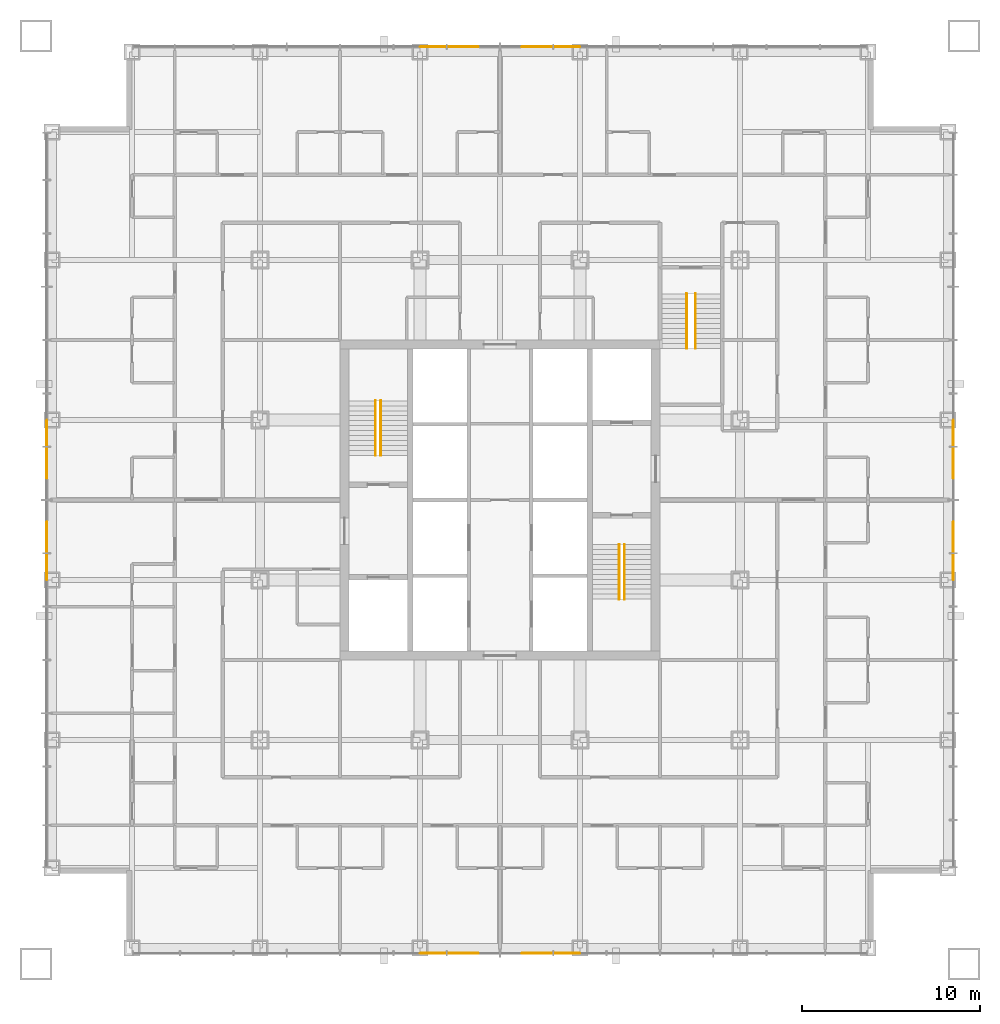
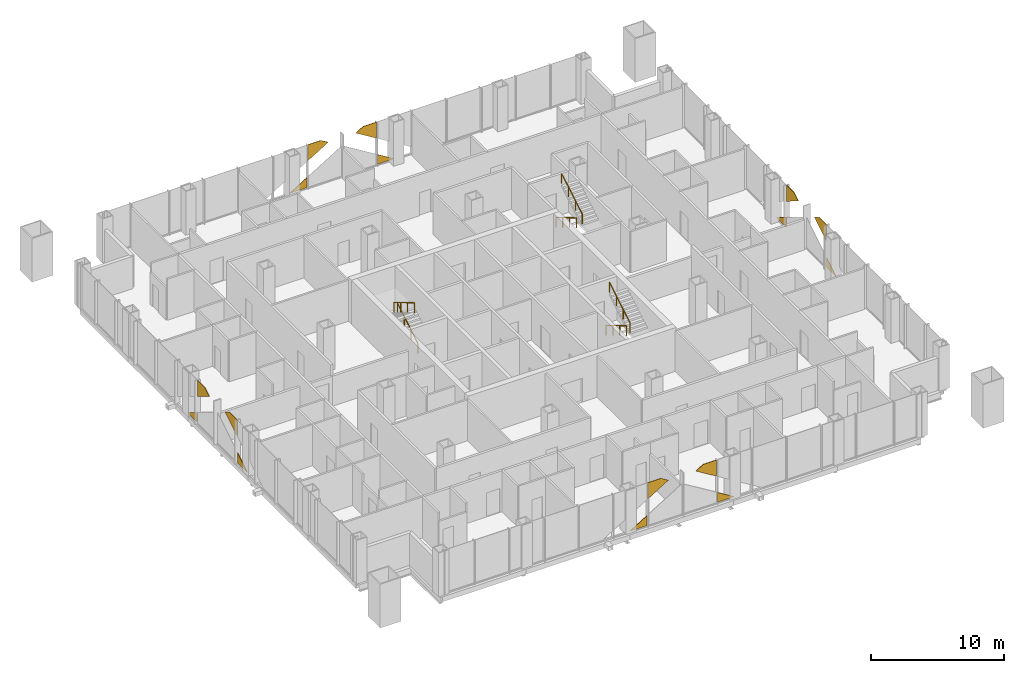
# One storey, part 13 of 13: 16 coverings, 6 railings.
"""IFC4 building model written with IfcOpenShell, lengths in metres."""

from ifc_helpers import new_model, si_unit, direction, frame, origin, origin_2d, place, context, subcontext, project, spatial, polyline, circle, outline, extrude, material, layer, layer_set, type_object, element, save


model = new_model("IFC4")

# Units and contexts
model_context = context("Model", 3, precision=1e-05, world=origin(), true_north=direction((0.0, 1.0)))
body_context = subcontext(model_context, "Body", "Model", "MODEL_VIEW")
ifc_project = project(units=[si_unit("LENGTHUNIT", "METRE"), si_unit("AREAUNIT", "SQUARE_METRE"), si_unit("VOLUMEUNIT", "CUBIC_METRE"), si_unit("PLANEANGLEUNIT", "RADIAN"), si_unit("MASSUNIT", "GRAM", prefix="KILO")], contexts=[model_context])

# Site, building, storey
site_placement = place(None, origin())
site = spatial("IfcSite", under=ifc_project, at=site_placement, CompositionType="ELEMENT")
building_placement = place(site_placement, origin())
building = spatial("IfcBuilding", under=site, at=building_placement, Name="Malebo Sky Hospital", CompositionType="ELEMENT")
storey_placement = place(building_placement, frame((0.0, 0.0, 43.0)))
storey = spatial("IfcBuildingStorey", under=building, at=storey_placement, Name="L09", CompositionType="ELEMENT", Elevation=43.0)

# Coverings
ifc_material_1 = material(Name="Anodised aluminium, natural silver insulated infill panel", Category="aluminium")
ifc_layer = layer(ifc_material_1, 0.0400390625)
ifc_layer_set = layer_set([ifc_layer], Name="BRACE INFILL PANEL 40")
covering_type = type_object("IfcCoveringType", Name="BRACE INFILL PANEL 40", PredefinedType="CLADDING", material=ifc_layer_set)
covering_1_placement = place(storey_placement, frame((56.224853515625, 87.5, 0.10009765625), z_axis=(0.0, 0.0, 1.0), x_axis=(1.0, 0.0, 0.0)))
element("IfcCovering", 1, at=covering_1_placement, inside=storey, type_object=covering_type, Name="Brace infill panel 6.1", PredefinedType="CLADDING", context=body_context, shape_type="SweptSolid", body=[
    extrude(outline(polyline([(-0.737548828125, 0.0), (0.737548828125, 0.0), (0.737548828125, 0.904296875), (-0.737548828125, 0.0)])), frame((0.0, 0.02001953125, 0.0), z_axis=(0.0, -1.0, 0.0), x_axis=(1.0, 0.0, 0.0)), (0.0, 0.0, 1.0), 0.0400390625),
])
covering_2_placement = place(storey_placement, frame((57.92041015625, 87.5, 2.517578125), z_axis=(0.0, 0.0, 1.0), x_axis=(1.0, 0.0, 0.0)))
element("IfcCovering", 2, at=covering_2_placement, inside=storey, type_object=covering_type, Name="Brace infill panel 7.1", PredefinedType="CLADDING", context=body_context, shape_type="SweptSolid", body=[
    extrude(outline(polyline([(-0.8828125, 0.0), (0.8828125, 1.08251953125), (0.246826171875, 1.472412109375), (-0.8828125, 1.472412109375), (-0.8828125, 0.0)])), frame((0.0, 0.02001953125, 0.0), z_axis=(0.0, -1.0, 0.0), x_axis=(1.0, 0.0, 0.0)), (0.0, 0.0, 1.0), 0.0400390625),
])
covering_3_placement = place(storey_placement, frame((62.07958984375, 87.5, 2.517578125), z_axis=(0.0, 0.0, 1.0), x_axis=(1.0, 0.0, 0.0)))
element("IfcCovering", 3, at=covering_3_placement, inside=storey, type_object=covering_type, Name="Brace infill panel 8.1", PredefinedType="CLADDING", context=body_context, shape_type="SweptSolid", body=[
    extrude(outline(polyline([(0.8828125, 0.0), (0.8828125, 1.472412109375), (-0.246826171875, 1.472412109375), (-0.8828125, 1.08251953125), (0.8828125, 0.0)])), frame((0.0, 0.02001953125, 0.0), z_axis=(0.0, -1.0, 0.0), x_axis=(1.0, 0.0, 0.0)), (0.0, 0.0, 1.0), 0.0400390625),
])
covering_4_placement = place(storey_placement, frame((63.775146484375, 87.5, 0.10009765625), z_axis=(0.0, 0.0, 1.0), x_axis=(1.0, 0.0, 0.0)))
element("IfcCovering", 4, at=covering_4_placement, inside=storey, type_object=covering_type, Name="Brace infill panel 9.1", PredefinedType="CLADDING", context=body_context, shape_type="SweptSolid", body=[
    extrude(outline(polyline([(-0.737548828125, 0.0), (0.737548828125, 0.0), (-0.737548828125, 0.904296875), (-0.737548828125, 0.0)])), frame((0.0, 0.02001953125, 0.0), z_axis=(0.0, -1.0, 0.0), x_axis=(1.0, 0.0, 0.0)), (0.0, 0.0, 1.0), 0.0400390625),
])
covering_5_placement = place(storey_placement, frame((34.5, 58.224853515625, 0.10009765625), z_axis=(0.0, 0.0, 1.0), x_axis=(0.0, 1.0, 0.0)))
element("IfcCovering", 5, at=covering_5_placement, inside=storey, type_object=covering_type, Name="Brace infill panel 6.1", PredefinedType="CLADDING", context=body_context, shape_type="SweptSolid", body=[
    extrude(outline(polyline([(-0.737548828125, 0.0), (0.737548828125, 0.0), (0.737548828125, 0.904296875), (-0.737548828125, 0.0)])), frame((0.0, 0.02001953125, 0.0), z_axis=(0.0, -1.0, 0.0), x_axis=(1.0, 0.0, 0.0)), (0.0, 0.0, 1.0), 0.0400390625),
])
covering_6_placement = place(storey_placement, frame((34.5, 59.92041015625, 2.517578125), z_axis=(0.0, 0.0, 1.0), x_axis=(0.0, 1.0, 0.0)))
element("IfcCovering", 6, at=covering_6_placement, inside=storey, type_object=covering_type, Name="Brace infill panel 7.1", PredefinedType="CLADDING", context=body_context, shape_type="SweptSolid", body=[
    extrude(outline(polyline([(-0.8828125, 0.0), (0.8828125, 1.08251953125), (0.246826171875, 1.472412109375), (-0.8828125, 1.472412109375), (-0.8828125, 0.0)])), frame((0.0, 0.02001953125, 0.0), z_axis=(0.0, -1.0, 0.0), x_axis=(1.0, 0.0, 0.0)), (0.0, 0.0, 1.0), 0.0400390625),
])
covering_7_placement = place(storey_placement, frame((34.5, 64.07958984375, 2.517578125), z_axis=(0.0, 0.0, 1.0), x_axis=(0.0, 1.0, 0.0)))
element("IfcCovering", 7, at=covering_7_placement, inside=storey, type_object=covering_type, Name="Brace infill panel 8.1", PredefinedType="CLADDING", context=body_context, shape_type="SweptSolid", body=[
    extrude(outline(polyline([(0.8828125, 0.0), (0.8828125, 1.472412109375), (-0.246826171875, 1.472412109375), (-0.8828125, 1.08251953125), (0.8828125, 0.0)])), frame((0.0, 0.02001953125, 0.0), z_axis=(0.0, -1.0, 0.0), x_axis=(1.0, 0.0, 0.0)), (0.0, 0.0, 1.0), 0.0400390625),
])
covering_8_placement = place(storey_placement, frame((34.5, 65.775146484375, 0.10009765625), z_axis=(0.0, 0.0, 1.0), x_axis=(0.0, 1.0, 0.0)))
element("IfcCovering", 8, at=covering_8_placement, inside=storey, type_object=covering_type, Name="Brace infill panel 9.1", PredefinedType="CLADDING", context=body_context, shape_type="SweptSolid", body=[
    extrude(outline(polyline([(-0.737548828125, 0.0), (0.737548828125, 0.0), (-0.737548828125, 0.904296875), (-0.737548828125, 0.0)])), frame((0.0, 0.02001953125, 0.0), z_axis=(0.0, -1.0, 0.0), x_axis=(1.0, 0.0, 0.0)), (0.0, 0.0, 1.0), 0.0400390625),
])
covering_9_placement = place(storey_placement, frame((63.775146484375, 36.5, 0.10009765625), z_axis=(0.0, 0.0, 1.0), x_axis=(-1.0, 0.0, 0.0)))
element("IfcCovering", 9, at=covering_9_placement, inside=storey, type_object=covering_type, Name="Brace infill panel 6.1", PredefinedType="CLADDING", context=body_context, shape_type="SweptSolid", body=[
    extrude(outline(polyline([(-0.737548828125, 0.0), (0.737548828125, 0.0), (0.737548828125, 0.904296875), (-0.737548828125, 0.0)])), frame((0.0, 0.02001953125, 0.0), z_axis=(0.0, -1.0, 0.0), x_axis=(1.0, 0.0, 0.0)), (0.0, 0.0, 1.0), 0.0400390625),
])
covering_10_placement = place(storey_placement, frame((62.07958984375, 36.5, 2.517578125), z_axis=(0.0, 0.0, 1.0), x_axis=(-1.0, 0.0, 0.0)))
element("IfcCovering", 10, at=covering_10_placement, inside=storey, type_object=covering_type, Name="Brace infill panel 7.1", PredefinedType="CLADDING", context=body_context, shape_type="SweptSolid", body=[
    extrude(outline(polyline([(-0.8828125, 0.0), (0.8828125, 1.08251953125), (0.246826171875, 1.472412109375), (-0.8828125, 1.472412109375), (-0.8828125, 0.0)])), frame((0.0, 0.02001953125, 0.0), z_axis=(0.0, -1.0, 0.0), x_axis=(1.0, 0.0, 0.0)), (0.0, 0.0, 1.0), 0.0400390625),
])
covering_11_placement = place(storey_placement, frame((57.92041015625, 36.5, 2.517578125), z_axis=(0.0, 0.0, 1.0), x_axis=(-1.0, 0.0, 0.0)))
element("IfcCovering", 11, at=covering_11_placement, inside=storey, type_object=covering_type, Name="Brace infill panel 8.1", PredefinedType="CLADDING", context=body_context, shape_type="SweptSolid", body=[
    extrude(outline(polyline([(0.8828125, 0.0), (0.8828125, 1.472412109375), (-0.246826171875, 1.472412109375), (-0.8828125, 1.08251953125), (0.8828125, 0.0)])), frame((0.0, 0.02001953125, 0.0), z_axis=(0.0, -1.0, 0.0), x_axis=(1.0, 0.0, 0.0)), (0.0, 0.0, 1.0), 0.0400390625),
])
covering_12_placement = place(storey_placement, frame((56.224853515625, 36.5, 0.10009765625), z_axis=(0.0, 0.0, 1.0), x_axis=(-1.0, 0.0, 0.0)))
element("IfcCovering", 12, at=covering_12_placement, inside=storey, type_object=covering_type, Name="Brace infill panel 9.1", PredefinedType="CLADDING", context=body_context, shape_type="SweptSolid", body=[
    extrude(outline(polyline([(-0.737548828125, 0.0), (0.737548828125, 0.0), (-0.737548828125, 0.904296875), (-0.737548828125, 0.0)])), frame((0.0, 0.02001953125, 0.0), z_axis=(0.0, -1.0, 0.0), x_axis=(1.0, 0.0, 0.0)), (0.0, 0.0, 1.0), 0.0400390625),
])
covering_13_placement = place(storey_placement, frame((85.5, 65.775146484375, 0.10009765625), z_axis=(0.0, 0.0, 1.0), x_axis=(0.0, -1.0, 0.0)))
element("IfcCovering", 13, at=covering_13_placement, inside=storey, type_object=covering_type, Name="Brace infill panel 6.1", PredefinedType="CLADDING", context=body_context, shape_type="SweptSolid", body=[
    extrude(outline(polyline([(-0.737548828125, 0.0), (0.737548828125, 0.0), (0.737548828125, 0.904296875), (-0.737548828125, 0.0)])), frame((0.0, 0.02001953125, 0.0), z_axis=(0.0, -1.0, 0.0), x_axis=(1.0, 0.0, 0.0)), (0.0, 0.0, 1.0), 0.0400390625),
])
covering_14_placement = place(storey_placement, frame((85.5, 64.07958984375, 2.517578125), z_axis=(0.0, 0.0, 1.0), x_axis=(0.0, -1.0, 0.0)))
element("IfcCovering", 14, at=covering_14_placement, inside=storey, type_object=covering_type, Name="Brace infill panel 7.1", PredefinedType="CLADDING", context=body_context, shape_type="SweptSolid", body=[
    extrude(outline(polyline([(-0.8828125, 0.0), (0.8828125, 1.08251953125), (0.246826171875, 1.472412109375), (-0.8828125, 1.472412109375), (-0.8828125, 0.0)])), frame((0.0, 0.02001953125, 0.0), z_axis=(0.0, -1.0, 0.0), x_axis=(1.0, 0.0, 0.0)), (0.0, 0.0, 1.0), 0.0400390625),
])
covering_15_placement = place(storey_placement, frame((85.5, 59.92041015625, 2.517578125), z_axis=(0.0, 0.0, 1.0), x_axis=(0.0, -1.0, 0.0)))
element("IfcCovering", 15, at=covering_15_placement, inside=storey, type_object=covering_type, Name="Brace infill panel 8.1", PredefinedType="CLADDING", context=body_context, shape_type="SweptSolid", body=[
    extrude(outline(polyline([(0.8828125, 0.0), (0.8828125, 1.472412109375), (-0.246826171875, 1.472412109375), (-0.8828125, 1.08251953125), (0.8828125, 0.0)])), frame((0.0, 0.02001953125, 0.0), z_axis=(0.0, -1.0, 0.0), x_axis=(1.0, 0.0, 0.0)), (0.0, 0.0, 1.0), 0.0400390625),
])
covering_16_placement = place(storey_placement, frame((85.5, 58.224853515625, 0.10009765625), z_axis=(0.0, 0.0, 1.0), x_axis=(0.0, -1.0, 0.0)))
element("IfcCovering", 16, at=covering_16_placement, inside=storey, type_object=covering_type, Name="Brace infill panel 9.1", PredefinedType="CLADDING", context=body_context, shape_type="SweptSolid", body=[
    extrude(outline(polyline([(-0.737548828125, 0.0), (0.737548828125, 0.0), (-0.737548828125, 0.904296875), (-0.737548828125, 0.0)])), frame((0.0, 0.02001953125, 0.0), z_axis=(0.0, -1.0, 0.0), x_axis=(1.0, 0.0, 0.0)), (0.0, 0.0, 1.0), 0.0400390625),
])

# Railings
ifc_material_2 = material(Name="Stainless steel tube", Category="steel")
railing_type = type_object("IfcRailingType", Name="STAIR HANDRAIL 900", PredefinedType="HANDRAIL", material=ifc_material_2)
railing_1_placement = place(storey_placement, frame((53.300048828125, 64.5, 0.166748046875)))
element("IfcRailing", 17, at=railing_1_placement, inside=storey, type_object=railing_type, Name="Stair handrail S1 flight 1", PredefinedType="HANDRAIL", context=body_context, shape_type="SweptSolid", body=[
    extrude(circle(Radius=0.02392578125, at=origin_2d()), frame((0.0, 0.0, 0.8759765625), z_axis=(0.0, 0.859308565015, 0.511457515432), x_axis=(-1.0, 0.0, 0.0)), (0.0, 0.0, 1.0), 3.58447265625),
    extrude(circle(Radius=0.02099609375, at=origin_2d()), origin(), (0.0, 0.0, 1.0), 0.851806640625),
    extrude(circle(Radius=0.02099609375, at=origin_2d()), frame((0.0, 1.026611328125, 0.611083984375)), (0.0, 0.0, 1.0), 0.851806640625),
    extrude(circle(Radius=0.02099609375, at=origin_2d()), frame((0.0, 2.053466796875, 1.22216796875)), (0.0, 0.0, 1.0), 0.851806640625),
    extrude(circle(Radius=0.02099609375, at=origin_2d()), frame((0.0, 3.080078125, 1.833251953125)), (0.0, 0.0, 1.0), 0.851806640625),
])
for number, where, name in (
    (18, (53.0, 67.580078125, 2.166748046875), "Stair handrail S1 flight 2"),
    (19, (66.699951171875, 59.5, 0.166748046875), "Stair handrail S2 flight 1"),
):
    element("IfcRailing", number, at=place(storey_placement, frame(where)), inside=storey, type_object=railing_type, Name=name, PredefinedType="HANDRAIL", context=body_context, shape_type="SweptSolid", body=[
        extrude(circle(Radius=0.02392578125, at=origin_2d()), frame((0.0, 0.0, 0.8759765625), z_axis=(0.0, -0.859308565015, 0.511457515432), x_axis=(1.0, 0.0, 0.0)), (0.0, 0.0, 1.0), 3.58447265625),
        extrude(circle(Radius=0.02099609375, at=origin_2d()), origin(), (0.0, 0.0, 1.0), 0.851806640625),
        extrude(circle(Radius=0.02099609375, at=origin_2d()), frame((0.0, -1.026611328125, 0.611083984375)), (0.0, 0.0, 1.0), 0.851806640625),
        extrude(circle(Radius=0.02099609375, at=origin_2d()), frame((0.0, -2.053466796875, 1.22216796875)), (0.0, 0.0, 1.0), 0.851806640625),
        extrude(circle(Radius=0.02099609375, at=origin_2d()), frame((0.0, -3.080078125, 1.833251953125)), (0.0, 0.0, 1.0), 0.851806640625),
    ])
railing_2_placement = place(storey_placement, frame((67.0, 56.419921875, 2.166748046875)))
element("IfcRailing", 20, at=railing_2_placement, inside=storey, type_object=railing_type, Name="Stair handrail S2 flight 2", PredefinedType="HANDRAIL", context=body_context, shape_type="SweptSolid", body=[
    extrude(circle(Radius=0.02392578125, at=origin_2d()), frame((0.0, 0.0, 0.8759765625), z_axis=(0.0, 0.859308565015, 0.511457515432), x_axis=(-1.0, 0.0, 0.0)), (0.0, 0.0, 1.0), 3.58447265625),
    extrude(circle(Radius=0.02099609375, at=origin_2d()), origin(), (0.0, 0.0, 1.0), 0.851806640625),
    extrude(circle(Radius=0.02099609375, at=origin_2d()), frame((0.0, 1.026611328125, 0.611083984375)), (0.0, 0.0, 1.0), 0.851806640625),
    extrude(circle(Radius=0.02099609375, at=origin_2d()), frame((0.0, 2.053466796875, 1.22216796875)), (0.0, 0.0, 1.0), 0.851806640625),
    extrude(circle(Radius=0.02099609375, at=origin_2d()), frame((0.0, 3.080078125, 1.833251953125)), (0.0, 0.0, 1.0), 0.851806640625),
])
railing_3_placement = place(storey_placement, frame((70.5, 73.60009765625, 0.166748046875)))
element("IfcRailing", 21, at=railing_3_placement, inside=storey, type_object=railing_type, Name="Stair handrail S3 flight 1", PredefinedType="HANDRAIL", context=body_context, shape_type="SweptSolid", body=[
    extrude(circle(Radius=0.02392578125, at=origin_2d()), frame((0.0, 0.0, 0.8759765625), z_axis=(0.0, -0.859308565015, 0.511457515432), x_axis=(1.0, 0.0, 0.0)), (0.0, 0.0, 1.0), 3.58447265625),
    extrude(circle(Radius=0.02099609375, at=origin_2d()), origin(), (0.0, 0.0, 1.0), 0.851806640625),
    extrude(circle(Radius=0.02099609375, at=origin_2d()), frame((0.0, -1.026611328125, 0.611083984375)), (0.0, 0.0, 1.0), 0.851806640625),
    extrude(circle(Radius=0.02099609375, at=origin_2d()), frame((0.0, -2.053466796875, 1.22216796875)), (0.0, 0.0, 1.0), 0.851806640625),
    extrude(circle(Radius=0.02099609375, at=origin_2d()), frame((0.0, -3.080078125, 1.833251953125)), (0.0, 0.0, 1.0), 0.851806640625),
])
railing_4_placement = place(storey_placement, frame((71.0, 70.52001953125, 2.166748046875)))
element("IfcRailing", 22, at=railing_4_placement, inside=storey, type_object=railing_type, Name="Stair handrail S3 flight 2", PredefinedType="HANDRAIL", context=body_context, shape_type="SweptSolid", body=[
    extrude(circle(Radius=0.02392578125, at=origin_2d()), frame((0.0, 0.0, 0.8759765625), z_axis=(0.0, 0.859308565015, 0.511457515432), x_axis=(-1.0, 0.0, 0.0)), (0.0, 0.0, 1.0), 3.58447265625),
    extrude(circle(Radius=0.02099609375, at=origin_2d()), origin(), (0.0, 0.0, 1.0), 0.851806640625),
    extrude(circle(Radius=0.02099609375, at=origin_2d()), frame((0.0, 1.026611328125, 0.611083984375)), (0.0, 0.0, 1.0), 0.851806640625),
    extrude(circle(Radius=0.02099609375, at=origin_2d()), frame((0.0, 2.053466796875, 1.22216796875)), (0.0, 0.0, 1.0), 0.851806640625),
    extrude(circle(Radius=0.02099609375, at=origin_2d()), frame((0.0, 3.080078125, 1.833251953125)), (0.0, 0.0, 1.0), 0.851806640625),
])

save(model, "model.ifc")
